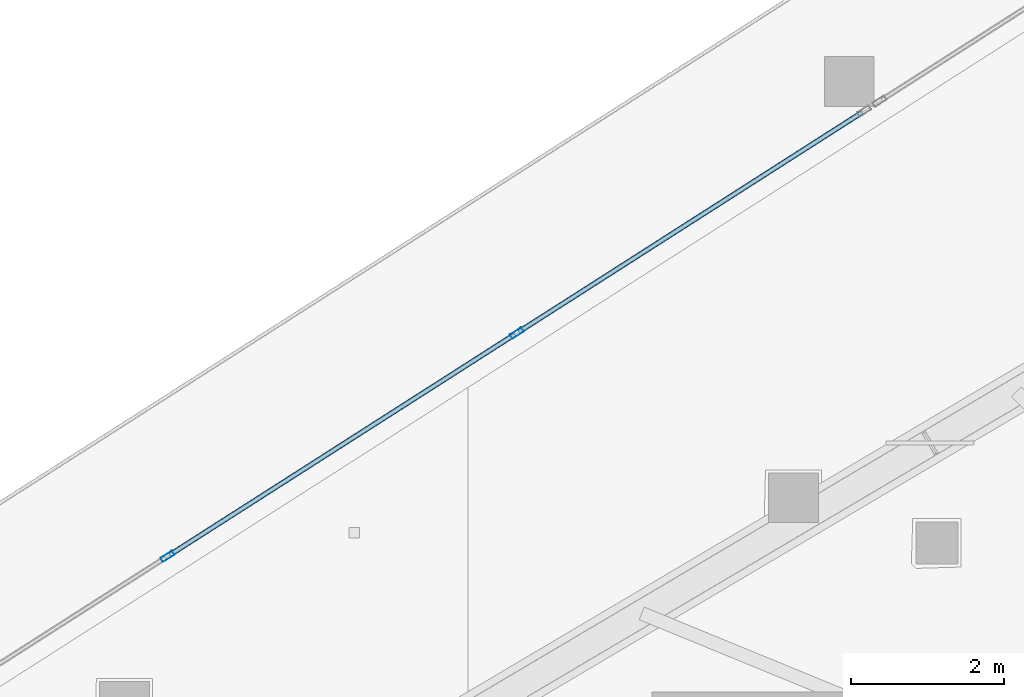
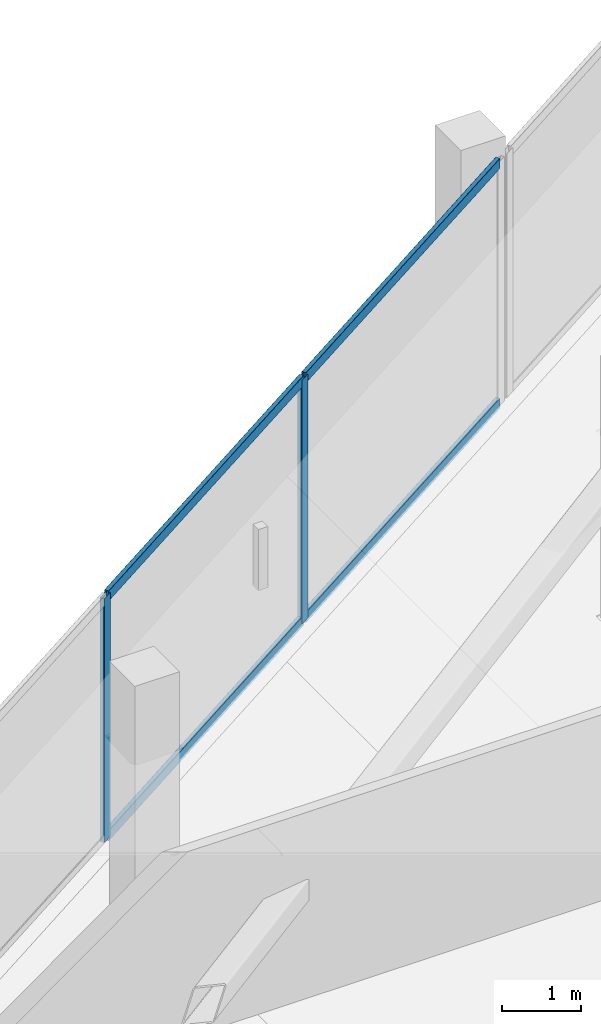
# One storey, part 15 of 45: 6 members, 1 element without a shape of its own.
"""IFC4 building model written with IfcOpenShell, lengths in metres."""

from ifc_helpers import new_model, si_unit, direction, frame, origin, origin_2d, place, context, subcontext, project, spatial, hollow_rectangle, extrude, material, layer, layer_set, material_profile, profile_set, type_object, element, aggregate, save


model = new_model("IFC4")

# Units and contexts
model_context = context("Model", 3, precision=1e-05, world=origin(), true_north=direction((0.0, 1.0)))
body_context = subcontext(model_context, "Body", "Model", "MODEL_VIEW")
ifc_project = project(units=[si_unit("LENGTHUNIT", "METRE"), si_unit("AREAUNIT", "SQUARE_METRE"), si_unit("VOLUMEUNIT", "CUBIC_METRE"), si_unit("PLANEANGLEUNIT", "RADIAN"), si_unit("MASSUNIT", "GRAM", prefix="KILO")], contexts=[model_context])

# Site, building, storey
site_placement = place(None, origin())
site = spatial("IfcSite", under=ifc_project, at=site_placement, CompositionType="ELEMENT")
building_placement = place(site_placement, origin())
building = spatial("IfcBuilding", under=site, at=building_placement, Name="Qorvath Tower", CompositionType="ELEMENT")
storey_placement = place(building_placement, frame((0.0, 0.0, 126.0)))
storey = spatial("IfcBuildingStorey", under=building, at=storey_placement, Name="L28", CompositionType="ELEMENT", Elevation=126.0)

# Curtain wall, members
ifc_material_1 = material(Name="Anodised aluminium and triple low-E glass", Category="aluminium")
ifc_layer = layer(ifc_material_1, 0.179931640625)
ifc_layer_set = layer_set([ifc_layer], Name="CW-SYS-2")
curtain_wall_type = type_object("IfcCurtainWallType", Name="CW-SYS-2", PredefinedType="NOTDEFINED", material=ifc_layer_set)
curtain_wall_placement = place(storey_placement, origin())
curtain_wall = element("IfcCurtainWall", 1, at=curtain_wall_placement, inside=storey, type_object=curtain_wall_type, Name="Curtain Wall CW-2 CW-T-L28-16.3", PredefinedType="NOTDEFINED")
ifc_material_2 = material(Name="Anodised aluminium 6063-T6", Category="aluminium")
ifc_material_profile_1 = material_profile(ifc_material_2, hollow_rectangle(XDim=0.06494140625, YDim=0.179931640625, WallThickness=0.00341796875, InnerFilletRadius=0.00341796875, OuterFilletRadius=0.007080078125, at=origin_2d()), Name="CWM 180x65")
ifc_profile_set_1 = profile_set([ifc_material_profile_1], Name="Anodised aluminium 6063-T6")
member_type_1 = type_object("IfcMemberType", Name="CWM-180", PredefinedType="MULLION", material=ifc_profile_set_1)
member_1_placement = place(storey_placement, frame((-39.60107421875, 15.537109375, 0.0), z_axis=(0.0, 0.0, 1.0), x_axis=(0.538534177075, -0.842603667285, 0.0)))
member_1 = element("IfcMember", 2, at=member_1_placement, type_object=member_type_1, Name="CW-2 mullion 2", PredefinedType="MULLION", context=body_context, shape_type="SweptSolid", body=[
    extrude(hollow_rectangle(XDim=0.06494140625, YDim=0.179931640625, WallThickness=0.00341796875, InnerFilletRadius=0.00341796875, OuterFilletRadius=0.007080078125, at=origin_2d()), origin(), (0.0, 0.0, 1.0), 3.77001953125),
])
member_2_placement = place(storey_placement, frame((-44.173095703125, 12.614990234375, 0.0), z_axis=(0.0, 0.0, 1.0), x_axis=(0.538534177075, -0.842603667285, 0.0)))
member_2 = element("IfcMember", 3, at=member_2_placement, type_object=member_type_1, Name="CW-2 mullion 3", PredefinedType="MULLION", context=body_context, shape_type="SweptSolid", body=[
    extrude(hollow_rectangle(XDim=0.06494140625, YDim=0.179931640625, WallThickness=0.00341796875, InnerFilletRadius=0.00341796875, OuterFilletRadius=0.007080078125, at=origin_2d()), origin(), (0.0, 0.0, 1.0), 3.77001953125),
])
ifc_material_3 = material(Name="Anodised aluminium 6063-T6", Category="aluminium")
ifc_material_profile_2 = material_profile(ifc_material_3, hollow_rectangle(XDim=0.06494140625, YDim=0.159912109375, WallThickness=0.00341796875, InnerFilletRadius=0.00341796875, OuterFilletRadius=0.007080078125, at=origin_2d()), Name="CWT 160x65")
ifc_profile_set_2 = profile_set([ifc_material_profile_2], Name="Anodised aluminium 6063-T6")
member_type_2 = type_object("IfcMemberType", Name="CWT-160", PredefinedType="USERDEFINED", material=ifc_profile_set_2)
member_3_placement = place(storey_placement, frame((-35.083984375, 18.42431640625, 0.032470703125), z_axis=(-0.842595771585, -0.53854653068, 0.0), x_axis=(0.53854653068, -0.842595771585, 0.0)))
member_3 = element("IfcMember", 4, at=member_3_placement, type_object=member_type_2, Name="CW-2 transom 1.1", ObjectType="TRANSOM", PredefinedType="USERDEFINED", context=body_context, shape_type="SweptSolid", body=[
    extrude(hollow_rectangle(XDim=0.06494140625, YDim=0.159912109375, WallThickness=0.00341796875, InnerFilletRadius=0.00341796875, OuterFilletRadius=0.007080078125, at=origin_2d()), origin(), (0.0, 0.0, 1.0), 5.328369140625),
])
member_4_placement = place(storey_placement, frame((-35.083984375, 18.42431640625, 3.737548828125), z_axis=(-0.842595771585, -0.53854653068, 0.0), x_axis=(0.53854653068, -0.842595771585, 0.0)))
member_4 = element("IfcMember", 5, at=member_4_placement, type_object=member_type_2, Name="CW-2 transom 1.2", ObjectType="TRANSOM", PredefinedType="USERDEFINED", context=body_context, shape_type="SweptSolid", body=[
    extrude(hollow_rectangle(XDim=0.06494140625, YDim=0.159912109375, WallThickness=0.00341796875, InnerFilletRadius=0.00341796875, OuterFilletRadius=0.007080078125, at=origin_2d()), origin(), (0.0, 0.0, 1.0), 5.328369140625),
])
member_5_placement = place(storey_placement, frame((-39.62841796875, 15.51953125, 0.032470703125), z_axis=(-0.842621067422, -0.538506951428, 0.0), x_axis=(0.538506951428, -0.842621067422, 0.0)))
member_5 = element("IfcMember", 6, at=member_5_placement, type_object=member_type_2, Name="CW-2 transom 2.1", ObjectType="TRANSOM", PredefinedType="USERDEFINED", context=body_context, shape_type="SweptSolid", body=[
    extrude(hollow_rectangle(XDim=0.06494140625, YDim=0.159912109375, WallThickness=0.00341796875, InnerFilletRadius=0.00341796875, OuterFilletRadius=0.007080078125, at=origin_2d()), origin(), (0.0, 0.0, 1.0), 5.361083984375),
])
member_6_placement = place(storey_placement, frame((-39.62841796875, 15.51953125, 3.737548828125), z_axis=(-0.842621067422, -0.538506951428, 0.0), x_axis=(0.538506951428, -0.842621067422, 0.0)))
member_6 = element("IfcMember", 7, at=member_6_placement, type_object=member_type_2, Name="CW-2 transom 2.2", ObjectType="TRANSOM", PredefinedType="USERDEFINED", context=body_context, shape_type="SweptSolid", body=[
    extrude(hollow_rectangle(XDim=0.06494140625, YDim=0.159912109375, WallThickness=0.00341796875, InnerFilletRadius=0.00341796875, OuterFilletRadius=0.007080078125, at=origin_2d()), origin(), (0.0, 0.0, 1.0), 5.361083984375),
])
aggregate(curtain_wall, [member_1, member_2, member_3, member_4, member_5, member_6])

save(model, "model.ifc")
